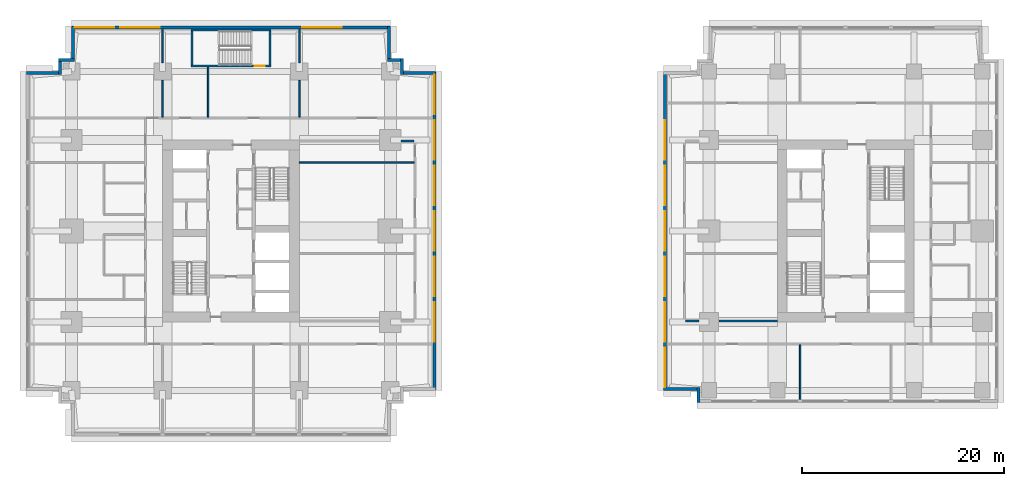
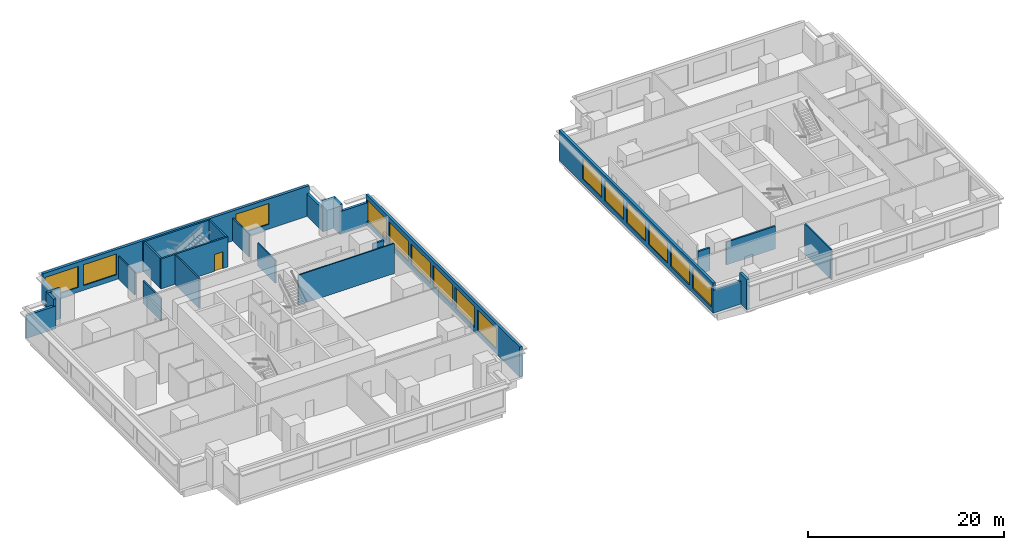
# One storey, part 5 of 10: 27 walls, 15 windows, 1 door, 16 openings.
"""IFC4 building model written with IfcOpenShell, lengths in metres."""

from ifc_helpers import new_model, si_unit, direction, frame, frame_2d, origin, place, context, subcontext, project, spatial, rectangle, extrude, material, layer, layer_set, type_object, element, fill, save


model = new_model("IFC4")

# Units and contexts
model_context = context("Model", 3, precision=1e-05, world=origin(), true_north=direction((0.0, 1.0)))
body_context = subcontext(model_context, "Body", "Model", "MODEL_VIEW")
ifc_project = project(units=[si_unit("LENGTHUNIT", "METRE"), si_unit("AREAUNIT", "SQUARE_METRE"), si_unit("VOLUMEUNIT", "CUBIC_METRE"), si_unit("PLANEANGLEUNIT", "RADIAN"), si_unit("MASSUNIT", "GRAM", prefix="KILO")], contexts=[model_context])

# Site, building, storey
site_placement = place(None, origin())
site = spatial("IfcSite", under=ifc_project, at=site_placement, CompositionType="ELEMENT")
building_placement = place(site_placement, origin())
building = spatial("IfcBuilding", under=site, at=building_placement, Name="Namib Vertical Campus", CompositionType="ELEMENT")
storey_placement = place(building_placement, frame((0.0, 0.0, 141.0)))
storey = spatial("IfcBuildingStorey", under=building, at=storey_placement, Name="L33", CompositionType="ELEMENT", Elevation=141.0)

# Walls
ifc_material_1 = material(Name="Concrete masonry", Category="masonry")
ifc_layer_1 = layer(ifc_material_1, 0.199951171875)
ifc_layer_set_1 = layer_set([ifc_layer_1], Name="Corridor wall 200")
wall_type_1 = type_object("IfcWallType", Name="Corridor wall 200", PredefinedType="SOLIDWALL", material=ifc_layer_set_1)
wall_1_placement = place(storey_placement, frame((37.070068359375, 29.14990234375, 0.0), z_axis=(0.0, 0.0, 1.0), x_axis=(1.0, 0.0, 0.0)))
element("IfcWall", 1, at=wall_1_placement, inside=storey, type_object=wall_type_1, Name="Corridor wall A L33 GN", PredefinedType="SOLIDWALL", context=body_context, shape_type="SweptSolid", body=[
    extrude(rectangle(XDim=1.280029296875, YDim=0.199951171875, at=frame_2d((0.64013671875, 0.0))), origin(), (0.0, 0.0, 1.0), 2.85009765625),
])
wall_2_placement = place(storey_placement, frame((65.14990234375, 11.35009765625, 0.0), z_axis=(0.0, 0.0, 1.0), x_axis=(1.0, 0.0, 0.0)))
element("IfcWall", 2, at=wall_2_placement, inside=storey, type_object=wall_type_1, Name="Corridor wall B L33 GS", PredefinedType="SOLIDWALL", context=body_context, shape_type="SweptSolid", body=[
    extrude(rectangle(XDim=1.380126953125, YDim=0.199951171875, at=frame_2d((0.68994140625, 0.0))), origin(), (0.0, 0.0, 1.0), 2.85009765625),
])
wall_3_placement = place(storey_placement, frame((68.469970703125, 11.35009765625, 0.0), z_axis=(0.0, 0.0, 1.0), x_axis=(1.0, 0.0, 0.0)))
element("IfcWall", 3, at=wall_3_placement, inside=storey, type_object=wall_type_1, Name="Corridor wall B L33 GS", PredefinedType="SOLIDWALL", context=body_context, shape_type="SweptSolid", body=[
    extrude(rectangle(XDim=5.780029296875, YDim=0.199951171875, at=frame_2d((2.89013671875, 0.0))), origin(), (0.0, 0.0, 1.0), 2.85009765625),
])

# Wall, openings, windows
ifc_material_2 = material(Name="Concrete C40/50", Category="concrete")
ifc_layer_2 = layer(ifc_material_2, 0.300048828125)
ifc_layer_set_2 = layer_set([ifc_layer_2], Name="Concrete C40/50")
wall_type_2 = type_object("IfcWallType", Name="External wall 300 board-marked concrete", PredefinedType="STANDARD", material=ifc_layer_set_2)
wall_4_placement = place(storey_placement, frame((40.35009765625, 4.52001953125, 0.0), z_axis=(0.0, 0.0, 1.0), x_axis=(0.0, 1.0, 0.0)))
wall_4 = element("IfcWall", 4, at=wall_4_placement, inside=storey, type_object=wall_type_2, Name="External wall L33 F06", PredefinedType="STANDARD", context=body_context, shape_type="SweptSolid", body=[
    extrude(rectangle(XDim=31.4599609375, YDim=0.300048828125, at=frame_2d((15.72998046875, 0.0))), origin(), (0.0, 0.0, 1.0), 3.75),
])
opening_1_placement = place(wall_4_placement, frame((4.780029296875, 0.0, 0.60009765625)))
opening_1 = element("IfcOpeningElement", 5, at=opening_1_placement, cuts=wall_4, Name="Opening W2", PredefinedType="OPENING", context=body_context, shape_type="SweptSolid", body=[
    extrude(rectangle(XDim=3.89990234375, YDim=2.60009765625, at=frame_2d((1.949951171875, 1.300048828125))), frame((0.0, 0.159912109375, 0.0), z_axis=(0.0, -1.0, 0.0), x_axis=(1.0, 0.0, 0.0)), (0.0, 0.0, 1.0), 0.320068359375),
])
opening_2_placement = place(wall_4_placement, frame((9.280029296875, 0.0, 0.60009765625)))
opening_2 = element("IfcOpeningElement", 6, at=opening_2_placement, cuts=wall_4, Name="Opening W2", PredefinedType="OPENING", context=body_context, shape_type="SweptSolid", body=[
    extrude(rectangle(XDim=3.89990234375, YDim=2.60009765625, at=frame_2d((1.949951171875, 1.300048828125))), frame((0.0, 0.159912109375, 0.0), z_axis=(0.0, -1.0, 0.0), x_axis=(1.0, 0.0, 0.0)), (0.0, 0.0, 1.0), 0.320068359375),
])
opening_3_placement = place(wall_4_placement, frame((13.780029296875, 0.0, 0.60009765625)))
opening_3 = element("IfcOpeningElement", 7, at=opening_3_placement, cuts=wall_4, Name="Opening W2", PredefinedType="OPENING", context=body_context, shape_type="SweptSolid", body=[
    extrude(rectangle(XDim=3.89990234375, YDim=2.60009765625, at=frame_2d((1.949951171875, 1.300048828125))), frame((0.0, 0.159912109375, 0.0), z_axis=(0.0, -1.0, 0.0), x_axis=(1.0, 0.0, 0.0)), (0.0, 0.0, 1.0), 0.320068359375),
])
opening_4_placement = place(wall_4_placement, frame((18.280029296875, 0.0, 0.60009765625)))
opening_4 = element("IfcOpeningElement", 8, at=opening_4_placement, cuts=wall_4, Name="Opening W2", PredefinedType="OPENING", context=body_context, shape_type="SweptSolid", body=[
    extrude(rectangle(XDim=3.89990234375, YDim=2.60009765625, at=frame_2d((1.949951171875, 1.300048828125))), frame((0.0, 0.159912109375, 0.0), z_axis=(0.0, -1.0, 0.0), x_axis=(1.0, 0.0, 0.0)), (0.0, 0.0, 1.0), 0.320068359375),
])
opening_5_placement = place(wall_4_placement, frame((22.780029296875, 0.0, 0.60009765625)))
opening_5 = element("IfcOpeningElement", 9, at=opening_5_placement, cuts=wall_4, Name="Opening W2", PredefinedType="OPENING", context=body_context, shape_type="SweptSolid", body=[
    extrude(rectangle(XDim=3.89990234375, YDim=2.60009765625, at=frame_2d((1.949951171875, 1.300048828125))), frame((0.0, 0.159912109375, 0.0), z_axis=(0.0, -1.0, 0.0), x_axis=(1.0, 0.0, 0.0)), (0.0, 0.0, 1.0), 0.320068359375),
])
opening_6_placement = place(wall_4_placement, frame((27.280029296875, 0.0, 0.60009765625)))
opening_6 = element("IfcOpeningElement", 10, at=opening_6_placement, cuts=wall_4, Name="Opening W2", PredefinedType="OPENING", context=body_context, shape_type="SweptSolid", body=[
    extrude(rectangle(XDim=3.89990234375, YDim=2.60009765625, at=frame_2d((1.949951171875, 1.300048828125))), frame((0.0, 0.159912109375, 0.0), z_axis=(0.0, -1.0, 0.0), x_axis=(1.0, 0.0, 0.0)), (0.0, 0.0, 1.0), 0.320068359375),
])
ifc_material_3 = material(Name="Dark tinted glass in black aluminium frame", Category="aluminium")
window_type = type_object("IfcWindowType", Name="Ribbon window 3900x2600", PartitioningType="SINGLE_PANEL", PredefinedType="WINDOW", material=ifc_material_3)
window_1_placement = place(opening_1_placement, origin())
window_1 = element("IfcWindow", 11, at=window_1_placement, inside=storey, type_object=window_type, Name="Window W2 L33 F06-2", OverallHeight=2.60009765625, OverallWidth=3.89990234375, PartitioningType="SINGLE_PANEL", PredefinedType="WINDOW", context=body_context, shape_type="SweptSolid", body=[
    extrude(rectangle(XDim=3.89990234375, YDim=2.60009765625, at=frame_2d((1.949951171875, 1.300048828125))), frame((0.0, 0.030029296875, 0.0), z_axis=(0.0, -1.0, 0.0), x_axis=(1.0, 0.0, 0.0)), (0.0, 0.0, 1.0), 0.06005859375),
])
fill(opening_1, window_1)
window_2_placement = place(opening_2_placement, origin())
window_2 = element("IfcWindow", 12, at=window_2_placement, inside=storey, type_object=window_type, Name="Window W2 L33 F06-3", OverallHeight=2.60009765625, OverallWidth=3.89990234375, PartitioningType="SINGLE_PANEL", PredefinedType="WINDOW", context=body_context, shape_type="SweptSolid", body=[
    extrude(rectangle(XDim=3.89990234375, YDim=2.60009765625, at=frame_2d((1.949951171875, 1.300048828125))), frame((0.0, 0.030029296875, 0.0), z_axis=(0.0, -1.0, 0.0), x_axis=(1.0, 0.0, 0.0)), (0.0, 0.0, 1.0), 0.06005859375),
])
fill(opening_2, window_2)
window_3_placement = place(opening_3_placement, origin())
window_3 = element("IfcWindow", 13, at=window_3_placement, inside=storey, type_object=window_type, Name="Window W2 L33 F06-4", OverallHeight=2.60009765625, OverallWidth=3.89990234375, PartitioningType="SINGLE_PANEL", PredefinedType="WINDOW", context=body_context, shape_type="SweptSolid", body=[
    extrude(rectangle(XDim=3.89990234375, YDim=2.60009765625, at=frame_2d((1.949951171875, 1.300048828125))), frame((0.0, 0.030029296875, 0.0), z_axis=(0.0, -1.0, 0.0), x_axis=(1.0, 0.0, 0.0)), (0.0, 0.0, 1.0), 0.06005859375),
])
fill(opening_3, window_3)
window_4_placement = place(opening_4_placement, origin())
window_4 = element("IfcWindow", 14, at=window_4_placement, inside=storey, type_object=window_type, Name="Window W2 L33 F06-5", OverallHeight=2.60009765625, OverallWidth=3.89990234375, PartitioningType="SINGLE_PANEL", PredefinedType="WINDOW", context=body_context, shape_type="SweptSolid", body=[
    extrude(rectangle(XDim=3.89990234375, YDim=2.60009765625, at=frame_2d((1.949951171875, 1.300048828125))), frame((0.0, 0.030029296875, 0.0), z_axis=(0.0, -1.0, 0.0), x_axis=(1.0, 0.0, 0.0)), (0.0, 0.0, 1.0), 0.06005859375),
])
fill(opening_4, window_4)
window_5_placement = place(opening_5_placement, origin())
window_5 = element("IfcWindow", 15, at=window_5_placement, inside=storey, type_object=window_type, Name="Window W2 L33 F06-6", OverallHeight=2.60009765625, OverallWidth=3.89990234375, PartitioningType="SINGLE_PANEL", PredefinedType="WINDOW", context=body_context, shape_type="SweptSolid", body=[
    extrude(rectangle(XDim=3.89990234375, YDim=2.60009765625, at=frame_2d((1.949951171875, 1.300048828125))), frame((0.0, 0.030029296875, 0.0), z_axis=(0.0, -1.0, 0.0), x_axis=(1.0, 0.0, 0.0)), (0.0, 0.0, 1.0), 0.06005859375),
])
fill(opening_5, window_5)
window_6_placement = place(opening_6_placement, origin())
window_6 = element("IfcWindow", 16, at=window_6_placement, inside=storey, type_object=window_type, Name="Window W2 L33 F06-7", OverallHeight=2.60009765625, OverallWidth=3.89990234375, PartitioningType="SINGLE_PANEL", PredefinedType="WINDOW", context=body_context, shape_type="SweptSolid", body=[
    extrude(rectangle(XDim=3.89990234375, YDim=2.60009765625, at=frame_2d((1.949951171875, 1.300048828125))), frame((0.0, 0.030029296875, 0.0), z_axis=(0.0, -1.0, 0.0), x_axis=(1.0, 0.0, 0.0)), (0.0, 0.0, 1.0), 0.06005859375),
])
fill(opening_6, window_6)

# Walls
wall_5_placement = place(storey_placement, frame((40.47998046875, 35.85009765625, 0.0), z_axis=(0.0, 0.0, 1.0), x_axis=(-1.0, 0.0, 0.0)))
element("IfcWall", 17, at=wall_5_placement, inside=storey, type_object=wall_type_2, Name="External wall L33 F07", PredefinedType="STANDARD", context=body_context, shape_type="SweptSolid", body=[
    extrude(rectangle(XDim=3.4599609375, YDim=0.300048828125, at=frame_2d((1.72998046875, 0.0))), origin(), (0.0, 0.0, 1.0), 2.85009765625),
])
for number, where, z_axis, x_axis, name in (
    (18, (37.14990234375, 35.719970703125, 0.0), (0.0, 0.0, 1.0), (0.0, 1.0, 0.0), "External wall L33 F08"),
    (19, (37.280029296875, 37.14990234375, 0.0), (0.0, 0.0, 1.0), (-1.0, 0.0, 0.0), "External wall L33 F09"),
):
    element("IfcWall", number, at=place(storey_placement, frame(where, z_axis=z_axis, x_axis=x_axis)), inside=storey, type_object=wall_type_2, Name=name, PredefinedType="STANDARD", context=body_context, shape_type="SweptSolid", body=[
        extrude(rectangle(XDim=1.56005859375, YDim=0.300048828125, at=frame_2d((0.780029296875, 0.0))), origin(), (0.0, 0.0, 1.0), 3.75),
    ])
wall_6_placement = place(storey_placement, frame((35.85009765625, 37.02001953125, 0.0), z_axis=(0.0, 0.0, 1.0), x_axis=(0.0, 1.0, 0.0)))
element("IfcWall", 20, at=wall_6_placement, inside=storey, type_object=wall_type_2, Name="External wall L33 F10", PredefinedType="STANDARD", context=body_context, shape_type="SweptSolid", body=[
    extrude(rectangle(XDim=3.4599609375, YDim=0.300048828125, at=frame_2d((1.72998046875, 0.0))), origin(), (0.0, 0.0, 1.0), 2.85009765625),
])

# Wall, openings, windows
wall_7_placement = place(storey_placement, frame((35.97998046875, 40.35009765625, 0.0), z_axis=(0.0, 0.0, 1.0), x_axis=(-1.0, 0.0, 0.0)))
wall_7 = element("IfcWall", 21, at=wall_7_placement, inside=storey, type_object=wall_type_2, Name="External wall L33 F11", PredefinedType="STANDARD", context=body_context, shape_type="SweptSolid", body=[
    extrude(rectangle(XDim=31.4599609375, YDim=0.300048828125, at=frame_2d((15.72998046875, 0.0))), origin(), (0.0, 0.0, 1.0), 3.75),
])
opening_7_placement = place(wall_7_placement, frame((27.280029296875, 0.0, 0.60009765625)))
opening_7 = element("IfcOpeningElement", 22, at=opening_7_placement, cuts=wall_7, Name="Opening W2", PredefinedType="OPENING", context=body_context, shape_type="SweptSolid", body=[
    extrude(rectangle(XDim=3.89990234375, YDim=2.60009765625, at=frame_2d((1.949951171875, 1.300048828125))), frame((0.0, 0.159912109375, 0.0), z_axis=(0.0, -1.0, 0.0), x_axis=(1.0, 0.0, 0.0)), (0.0, 0.0, 1.0), 0.320068359375),
])
opening_8_placement = place(wall_7_placement, frame((22.780029296875, 0.0, 0.60009765625)))
opening_8 = element("IfcOpeningElement", 23, at=opening_8_placement, cuts=wall_7, Name="Opening W2", PredefinedType="OPENING", context=body_context, shape_type="SweptSolid", body=[
    extrude(rectangle(XDim=3.89990234375, YDim=2.60009765625, at=frame_2d((1.949951171875, 1.300048828125))), frame((0.0, 0.159912109375, 0.0), z_axis=(0.0, -1.0, 0.0), x_axis=(1.0, 0.0, 0.0)), (0.0, 0.0, 1.0), 0.320068359375),
])
opening_9_placement = place(wall_7_placement, frame((4.780029296875, 0.0, 0.60009765625)))
opening_9 = element("IfcOpeningElement", 24, at=opening_9_placement, cuts=wall_7, Name="Opening W2", PredefinedType="OPENING", context=body_context, shape_type="SweptSolid", body=[
    extrude(rectangle(XDim=3.89990234375, YDim=2.60009765625, at=frame_2d((1.949951171875, 1.300048828125))), frame((0.0, 0.159912109375, 0.0), z_axis=(0.0, -1.0, 0.0), x_axis=(1.0, 0.0, 0.0)), (0.0, 0.0, 1.0), 0.320068359375),
])
window_7_placement = place(opening_7_placement, origin())
window_7 = element("IfcWindow", 25, at=window_7_placement, inside=storey, type_object=window_type, Name="Window W2 L33 F11-1", OverallHeight=2.60009765625, OverallWidth=3.89990234375, PartitioningType="SINGLE_PANEL", PredefinedType="WINDOW", context=body_context, shape_type="SweptSolid", body=[
    extrude(rectangle(XDim=3.89990234375, YDim=2.60009765625, at=frame_2d((1.949951171875, 1.300048828125))), frame((0.0, 0.030029296875, 0.0), z_axis=(0.0, -1.0, 0.0), x_axis=(1.0, 0.0, 0.0)), (0.0, 0.0, 1.0), 0.06005859375),
])
fill(opening_7, window_7)
window_8_placement = place(opening_8_placement, origin())
window_8 = element("IfcWindow", 26, at=window_8_placement, inside=storey, type_object=window_type, Name="Window W2 L33 F11-2", OverallHeight=2.60009765625, OverallWidth=3.89990234375, PartitioningType="SINGLE_PANEL", PredefinedType="WINDOW", context=body_context, shape_type="SweptSolid", body=[
    extrude(rectangle(XDim=3.89990234375, YDim=2.60009765625, at=frame_2d((1.949951171875, 1.300048828125))), frame((0.0, 0.030029296875, 0.0), z_axis=(0.0, -1.0, 0.0), x_axis=(1.0, 0.0, 0.0)), (0.0, 0.0, 1.0), 0.06005859375),
])
fill(opening_8, window_8)
window_9_placement = place(opening_9_placement, origin())
window_9 = element("IfcWindow", 27, at=window_9_placement, inside=storey, type_object=window_type, Name="Window W2 L33 F11-6", OverallHeight=2.60009765625, OverallWidth=3.89990234375, PartitioningType="SINGLE_PANEL", PredefinedType="WINDOW", context=body_context, shape_type="SweptSolid", body=[
    extrude(rectangle(XDim=3.89990234375, YDim=2.60009765625, at=frame_2d((1.949951171875, 1.300048828125))), frame((0.0, 0.030029296875, 0.0), z_axis=(0.0, -1.0, 0.0), x_axis=(1.0, 0.0, 0.0)), (0.0, 0.0, 1.0), 0.06005859375),
])
fill(opening_9, window_9)

# Walls
wall_8_placement = place(storey_placement, frame((4.64990234375, 40.47998046875, 0.0), z_axis=(0.0, 0.0, 1.0), x_axis=(0.0, -1.0, 0.0)))
element("IfcWall", 28, at=wall_8_placement, inside=storey, type_object=wall_type_2, Name="External wall L33 F12", PredefinedType="STANDARD", context=body_context, shape_type="SweptSolid", body=[
    extrude(rectangle(XDim=3.4599609375, YDim=0.300048828125, at=frame_2d((1.72998046875, 0.0))), origin(), (0.0, 0.0, 1.0), 2.85009765625),
])
for number, where, z_axis, x_axis, name in (
    (29, (4.780029296875, 37.14990234375, 0.0), (0.0, 0.0, 1.0), (-1.0, 0.0, 0.0), "External wall L33 F13"),
    (30, (3.35009765625, 37.280029296875, 0.0), (0.0, 0.0, 1.0), (0.0, -1.0, 0.0), "External wall L33 F14"),
):
    element("IfcWall", number, at=place(storey_placement, frame(where, z_axis=z_axis, x_axis=x_axis)), inside=storey, type_object=wall_type_2, Name=name, PredefinedType="STANDARD", context=body_context, shape_type="SweptSolid", body=[
        extrude(rectangle(XDim=1.56005859375, YDim=0.300048828125, at=frame_2d((0.780029296875, 0.0))), origin(), (0.0, 0.0, 1.0), 3.75),
    ])
wall_9_placement = place(storey_placement, frame((3.47998046875, 35.85009765625, 0.0), z_axis=(0.0, 0.0, 1.0), x_axis=(-1.0, 0.0, 0.0)))
element("IfcWall", 31, at=wall_9_placement, inside=storey, type_object=wall_type_2, Name="External wall L33 F15", PredefinedType="STANDARD", context=body_context, shape_type="SweptSolid", body=[
    extrude(rectangle(XDim=3.4599609375, YDim=0.300048828125, at=frame_2d((1.72998046875, 0.0))), origin(), (0.0, 0.0, 1.0), 2.85009765625),
])
wall_10_placement = place(storey_placement, frame((63.02001953125, 4.64990234375, 0.0), z_axis=(0.0, 0.0, 1.0), x_axis=(1.0, 0.0, 0.0)))
element("IfcWall", 32, at=wall_10_placement, inside=storey, type_object=wall_type_2, Name="External wall L33 F01", PredefinedType="STANDARD", context=body_context, shape_type="SweptSolid", body=[
    extrude(rectangle(XDim=3.56005859375, YDim=0.300048828125, at=frame_2d((1.780029296875, 0.0))), origin(), (0.0, 0.0, 1.0), 2.85009765625),
])
wall_11_placement = place(storey_placement, frame((66.449951171875, 4.780029296875, 0.0), z_axis=(0.0, 0.0, 1.0), x_axis=(0.0, -1.0, 0.0)))
element("IfcWall", 33, at=wall_11_placement, inside=storey, type_object=wall_type_2, Name="External wall L33 F02", PredefinedType="STANDARD", context=body_context, shape_type="SweptSolid", body=[
    extrude(rectangle(XDim=1.4599609375, YDim=0.300048828125, at=frame_2d((0.72998046875, 0.0))), origin(), (0.0, 0.0, 1.0), 3.75),
])

# Wall, openings, windows
wall_12_placement = place(storey_placement, frame((63.14990234375, 35.97998046875, 0.0), z_axis=(0.0, 0.0, 1.0), x_axis=(0.0, -1.0, 0.0)))
wall_12 = element("IfcWall", 34, at=wall_12_placement, inside=storey, type_object=wall_type_2, Name="External wall L33 F12", PredefinedType="STANDARD", context=body_context, shape_type="SweptSolid", body=[
    extrude(rectangle(XDim=31.4599609375, YDim=0.300048828125, at=frame_2d((15.72998046875, 0.0))), origin(), (0.0, 0.0, 1.0), 3.75),
])
opening_10_placement = place(wall_12_placement, frame((27.280029296875, 0.0, 0.60009765625)))
opening_10 = element("IfcOpeningElement", 35, at=opening_10_placement, cuts=wall_12, Name="Opening W2", PredefinedType="OPENING", context=body_context, shape_type="SweptSolid", body=[
    extrude(rectangle(XDim=3.89990234375, YDim=2.60009765625, at=frame_2d((1.949951171875, 1.300048828125))), frame((0.0, 0.159912109375, 0.0), z_axis=(0.0, -1.0, 0.0), x_axis=(1.0, 0.0, 0.0)), (0.0, 0.0, 1.0), 0.320068359375),
])
opening_11_placement = place(wall_12_placement, frame((22.780029296875, 0.0, 0.60009765625)))
opening_11 = element("IfcOpeningElement", 36, at=opening_11_placement, cuts=wall_12, Name="Opening W2", PredefinedType="OPENING", context=body_context, shape_type="SweptSolid", body=[
    extrude(rectangle(XDim=3.89990234375, YDim=2.60009765625, at=frame_2d((1.949951171875, 1.300048828125))), frame((0.0, 0.159912109375, 0.0), z_axis=(0.0, -1.0, 0.0), x_axis=(1.0, 0.0, 0.0)), (0.0, 0.0, 1.0), 0.320068359375),
])
opening_12_placement = place(wall_12_placement, frame((18.280029296875, 0.0, 0.60009765625)))
opening_12 = element("IfcOpeningElement", 37, at=opening_12_placement, cuts=wall_12, Name="Opening W2", PredefinedType="OPENING", context=body_context, shape_type="SweptSolid", body=[
    extrude(rectangle(XDim=3.89990234375, YDim=2.60009765625, at=frame_2d((1.949951171875, 1.300048828125))), frame((0.0, 0.159912109375, 0.0), z_axis=(0.0, -1.0, 0.0), x_axis=(1.0, 0.0, 0.0)), (0.0, 0.0, 1.0), 0.320068359375),
])
opening_13_placement = place(wall_12_placement, frame((13.780029296875, 0.0, 0.60009765625)))
opening_13 = element("IfcOpeningElement", 38, at=opening_13_placement, cuts=wall_12, Name="Opening W2", PredefinedType="OPENING", context=body_context, shape_type="SweptSolid", body=[
    extrude(rectangle(XDim=3.89990234375, YDim=2.60009765625, at=frame_2d((1.949951171875, 1.300048828125))), frame((0.0, 0.159912109375, 0.0), z_axis=(0.0, -1.0, 0.0), x_axis=(1.0, 0.0, 0.0)), (0.0, 0.0, 1.0), 0.320068359375),
])
opening_14_placement = place(wall_12_placement, frame((9.280029296875, 0.0, 0.60009765625)))
opening_14 = element("IfcOpeningElement", 39, at=opening_14_placement, cuts=wall_12, Name="Opening W2", PredefinedType="OPENING", context=body_context, shape_type="SweptSolid", body=[
    extrude(rectangle(XDim=3.89990234375, YDim=2.60009765625, at=frame_2d((1.949951171875, 1.300048828125))), frame((0.0, 0.159912109375, 0.0), z_axis=(0.0, -1.0, 0.0), x_axis=(1.0, 0.0, 0.0)), (0.0, 0.0, 1.0), 0.320068359375),
])
opening_15_placement = place(wall_12_placement, frame((4.780029296875, 0.0, 0.60009765625)))
opening_15 = element("IfcOpeningElement", 40, at=opening_15_placement, cuts=wall_12, Name="Opening W2", PredefinedType="OPENING", context=body_context, shape_type="SweptSolid", body=[
    extrude(rectangle(XDim=3.89990234375, YDim=2.60009765625, at=frame_2d((1.949951171875, 1.300048828125))), frame((0.0, 0.159912109375, 0.0), z_axis=(0.0, -1.0, 0.0), x_axis=(1.0, 0.0, 0.0)), (0.0, 0.0, 1.0), 0.320068359375),
])
window_10_placement = place(opening_10_placement, origin())
window_10 = element("IfcWindow", 41, at=window_10_placement, inside=storey, type_object=window_type, Name="Window W2 L33 F12-1", OverallHeight=2.60009765625, OverallWidth=3.89990234375, PartitioningType="SINGLE_PANEL", PredefinedType="WINDOW", context=body_context, shape_type="SweptSolid", body=[
    extrude(rectangle(XDim=3.89990234375, YDim=2.60009765625, at=frame_2d((1.949951171875, 1.300048828125))), frame((0.0, 0.030029296875, 0.0), z_axis=(0.0, -1.0, 0.0), x_axis=(1.0, 0.0, 0.0)), (0.0, 0.0, 1.0), 0.06005859375),
])
fill(opening_10, window_10)
window_11_placement = place(opening_11_placement, origin())
window_11 = element("IfcWindow", 42, at=window_11_placement, inside=storey, type_object=window_type, Name="Window W2 L33 F12-2", OverallHeight=2.60009765625, OverallWidth=3.89990234375, PartitioningType="SINGLE_PANEL", PredefinedType="WINDOW", context=body_context, shape_type="SweptSolid", body=[
    extrude(rectangle(XDim=3.89990234375, YDim=2.60009765625, at=frame_2d((1.949951171875, 1.300048828125))), frame((0.0, 0.030029296875, 0.0), z_axis=(0.0, -1.0, 0.0), x_axis=(1.0, 0.0, 0.0)), (0.0, 0.0, 1.0), 0.06005859375),
])
fill(opening_11, window_11)
window_12_placement = place(opening_12_placement, origin())
window_12 = element("IfcWindow", 43, at=window_12_placement, inside=storey, type_object=window_type, Name="Window W2 L33 F12-3", OverallHeight=2.60009765625, OverallWidth=3.89990234375, PartitioningType="SINGLE_PANEL", PredefinedType="WINDOW", context=body_context, shape_type="SweptSolid", body=[
    extrude(rectangle(XDim=3.89990234375, YDim=2.60009765625, at=frame_2d((1.949951171875, 1.300048828125))), frame((0.0, 0.030029296875, 0.0), z_axis=(0.0, -1.0, 0.0), x_axis=(1.0, 0.0, 0.0)), (0.0, 0.0, 1.0), 0.06005859375),
])
fill(opening_12, window_12)
window_13_placement = place(opening_13_placement, origin())
window_13 = element("IfcWindow", 44, at=window_13_placement, inside=storey, type_object=window_type, Name="Window W2 L33 F12-4", OverallHeight=2.60009765625, OverallWidth=3.89990234375, PartitioningType="SINGLE_PANEL", PredefinedType="WINDOW", context=body_context, shape_type="SweptSolid", body=[
    extrude(rectangle(XDim=3.89990234375, YDim=2.60009765625, at=frame_2d((1.949951171875, 1.300048828125))), frame((0.0, 0.030029296875, 0.0), z_axis=(0.0, -1.0, 0.0), x_axis=(1.0, 0.0, 0.0)), (0.0, 0.0, 1.0), 0.06005859375),
])
fill(opening_13, window_13)
window_14_placement = place(opening_14_placement, origin())
window_14 = element("IfcWindow", 45, at=window_14_placement, inside=storey, type_object=window_type, Name="Window W2 L33 F12-5", OverallHeight=2.60009765625, OverallWidth=3.89990234375, PartitioningType="SINGLE_PANEL", PredefinedType="WINDOW", context=body_context, shape_type="SweptSolid", body=[
    extrude(rectangle(XDim=3.89990234375, YDim=2.60009765625, at=frame_2d((1.949951171875, 1.300048828125))), frame((0.0, 0.030029296875, 0.0), z_axis=(0.0, -1.0, 0.0), x_axis=(1.0, 0.0, 0.0)), (0.0, 0.0, 1.0), 0.06005859375),
])
fill(opening_14, window_14)
window_15_placement = place(opening_15_placement, origin())
window_15 = element("IfcWindow", 46, at=window_15_placement, inside=storey, type_object=window_type, Name="Window W2 L33 F12-6", OverallHeight=2.60009765625, OverallWidth=3.89990234375, PartitioningType="SINGLE_PANEL", PredefinedType="WINDOW", context=body_context, shape_type="SweptSolid", body=[
    extrude(rectangle(XDim=3.89990234375, YDim=2.60009765625, at=frame_2d((1.949951171875, 1.300048828125))), frame((0.0, 0.030029296875, 0.0), z_axis=(0.0, -1.0, 0.0), x_axis=(1.0, 0.0, 0.0)), (0.0, 0.0, 1.0), 0.06005859375),
])
fill(opening_15, window_15)

# Walls
ifc_material_4 = material(Name="Gypsum board on steel studs", Category="steel")
ifc_layer_3 = layer(ifc_material_4, 0.14990234375)
ifc_layer_set_3 = layer_set([ifc_layer_3], Name="Gypsum board on steel studs")
wall_type_3 = type_object("IfcWallType", Name="Partition 150", PredefinedType="PARTITIONING", material=ifc_layer_set_3)
wall_13_placement = place(storey_placement, frame((13.5, 31.5, 0.0), z_axis=(0.0, 0.0, 1.0), x_axis=(0.0, 1.0, 0.0)))
element("IfcWall", 47, at=wall_13_placement, inside=storey, type_object=wall_type_3, Name="Partition A L33 PN1", PredefinedType="PARTITIONING", context=body_context, shape_type="SweptSolid", body=[
    extrude(rectangle(XDim=3.6298828125, YDim=0.14990234375, at=frame_2d((1.81494140625, 0.0))), origin(), (0.0, 0.0, 1.0), 2.85009765625),
])
wall_14_placement = place(storey_placement, frame((13.5, 36.8701171875, 0.0), z_axis=(0.0, 0.0, 1.0), x_axis=(0.0, 1.0, 0.0)))
element("IfcWall", 48, at=wall_14_placement, inside=storey, type_object=wall_type_3, Name="Partition A L33 PN1", PredefinedType="PARTITIONING", context=body_context, shape_type="SweptSolid", body=[
    extrude(rectangle(XDim=3.329833984375, YDim=0.14990234375, at=frame_2d((1.6650390625, 0.0))), origin(), (0.0, 0.0, 1.0), 2.85009765625),
])
wall_15_placement = place(storey_placement, frame((18.0, 31.5, 0.0), z_axis=(0.0, 0.0, 1.0), x_axis=(0.0, 1.0, 0.0)))
element("IfcWall", 49, at=wall_15_placement, inside=storey, type_object=wall_type_3, Name="Partition A L33 PN2", PredefinedType="PARTITIONING", context=body_context, shape_type="SweptSolid", body=[
    extrude(rectangle(XDim=4.949951171875, YDim=0.14990234375, at=frame_2d((2.47509765625, 0.0))), origin(), (0.0, 0.0, 1.0), 3.75),
])
wall_16_placement = place(storey_placement, frame((27.0, 31.5, 0.0), z_axis=(0.0, 0.0, 1.0), x_axis=(0.0, 1.0, 0.0)))
element("IfcWall", 50, at=wall_16_placement, inside=storey, type_object=wall_type_3, Name="Partition A L33 PN3", PredefinedType="PARTITIONING", context=body_context, shape_type="SweptSolid", body=[
    extrude(rectangle(XDim=3.6298828125, YDim=0.14990234375, at=frame_2d((1.81494140625, 0.0))), origin(), (0.0, 0.0, 1.0), 2.85009765625),
])
wall_17_placement = place(storey_placement, frame((27.0, 36.8701171875, 0.0), z_axis=(0.0, 0.0, 1.0), x_axis=(0.0, 1.0, 0.0)))
element("IfcWall", 51, at=wall_17_placement, inside=storey, type_object=wall_type_3, Name="Partition A L33 PN3", PredefinedType="PARTITIONING", context=body_context, shape_type="SweptSolid", body=[
    extrude(rectangle(XDim=3.329833984375, YDim=0.14990234375, at=frame_2d((1.6650390625, 0.0))), origin(), (0.0, 0.0, 1.0), 2.85009765625),
])
wall_18_placement = place(storey_placement, frame((27.0, 27.0, 0.0), z_axis=(0.0, 0.0, 1.0), x_axis=(1.0, 0.0, 0.0)))
element("IfcWall", 52, at=wall_18_placement, inside=storey, type_object=wall_type_3, Name="Partition A L33 PE2", PredefinedType="PARTITIONING", context=body_context, shape_type="SweptSolid", body=[
    extrude(rectangle(XDim=11.35009765625, YDim=0.14990234375, at=frame_2d((5.675048828125, 0.0))), origin(), (0.0, 0.0, 1.0), 3.75),
])
wall_19_placement = place(storey_placement, frame((76.5, 3.60009765625, 0.0), z_axis=(0.0, 0.0, 1.0), x_axis=(0.0, 1.0, 0.0)))
element("IfcWall", 53, at=wall_19_placement, inside=storey, type_object=wall_type_3, Name="Partition B L33 PS1", PredefinedType="PARTITIONING", context=body_context, shape_type="SweptSolid", body=[
    extrude(rectangle(XDim=5.39990234375, YDim=0.14990234375, at=frame_2d((2.699951171875, 0.0))), origin(), (0.0, 0.0, 1.0), 3.75),
])

# Wall, opening, door
ifc_material_5 = material(Name="Concrete C40/50", Category="concrete")
ifc_layer_4 = layer(ifc_material_5, 0.199951171875)
ifc_layer_set_4 = layer_set([ifc_layer_4], Name="Concrete C40/50")
wall_type_4 = type_object("IfcWallType", Name="Stair enclosure wall RC 200", PredefinedType="SOLIDWALL", material=ifc_layer_set_4)
wall_20_placement = place(storey_placement, frame((16.300048828125, 36.550048828125, 0.0), z_axis=(0.0, 0.0, 1.0), x_axis=(1.0, 0.0, 0.0)))
wall_20 = element("IfcWall", 54, at=wall_20_placement, inside=storey, type_object=wall_type_4, Name="Stair enclosure wall A-S3 L33 S", PredefinedType="SOLIDWALL", context=body_context, shape_type="SweptSolid", body=[
    extrude(rectangle(XDim=7.89990234375, YDim=0.199951171875, at=frame_2d((3.949951171875, 0.0))), origin(), (0.0, 0.0, 1.0), 3.75),
])
opening_16_placement = place(wall_20_placement, frame((6.300048828125, 0.0, 0.0)))
opening_16 = element("IfcOpeningElement", 55, at=opening_16_placement, cuts=wall_20, Name="Opening FD1", PredefinedType="OPENING", context=body_context, shape_type="SweptSolid", body=[
    extrude(rectangle(XDim=1.0, YDim=2.10009765625, at=frame_2d((0.5, 1.050048828125))), frame((0.0, 0.10986328125, 0.0), z_axis=(0.0, -1.0, 0.0), x_axis=(1.0, 0.0, 0.0)), (0.0, 0.0, 1.0), 0.219970703125),
])
ifc_material_6 = material(Name="Steel fire door", Category="steel")
door_type = type_object("IfcDoorType", Name="Fire door 1000x2100", OperationType="SINGLE_SWING_RIGHT", PredefinedType="DOOR", material=ifc_material_6)
door_placement = place(opening_16_placement, origin())
door = element("IfcDoor", 56, at=door_placement, inside=storey, type_object=door_type, Name="Stair door FD1 A L33 S3", OperationType="SINGLE_SWING_RIGHT", OverallHeight=2.10009765625, OverallWidth=1.0, PredefinedType="DOOR", context=body_context, shape_type="SweptSolid", body=[
    extrude(rectangle(XDim=1.0, YDim=2.10009765625, at=frame_2d((0.5, 1.050048828125))), frame((0.0, 0.02490234375, 0.0), z_axis=(0.0, -1.0, 0.0), x_axis=(1.0, 0.0, 0.0)), (0.0, 0.0, 1.0), 0.050048828125),
])
fill(opening_16, door)

# Walls
wall_21_placement = place(storey_placement, frame((16.300048828125, 40.10009765625, 0.0), z_axis=(0.0, 0.0, 1.0), x_axis=(1.0, 0.0, 0.0)))
element("IfcWall", 57, at=wall_21_placement, inside=storey, type_object=wall_type_4, Name="Stair enclosure wall A-S3 L33 N", PredefinedType="SOLIDWALL", context=body_context, shape_type="SweptSolid", body=[
    extrude(rectangle(XDim=7.89990234375, YDim=0.199951171875, at=frame_2d((3.949951171875, 0.0))), origin(), (0.0, 0.0, 1.0), 3.75),
])
for number, where, z_axis, x_axis, name in (
    (58, (16.39990234375, 36.64990234375, 0.0), (0.0, 0.0, 1.0), (0.0, 1.0, 0.0), "Stair enclosure wall A-S3 L33 W"),
    (59, (24.10009765625, 36.64990234375, 0.0), (0.0, 0.0, 1.0), (0.0, 1.0, 0.0), "Stair enclosure wall A-S3 L33 E"),
):
    element("IfcWall", number, at=place(storey_placement, frame(where, z_axis=z_axis, x_axis=x_axis)), inside=storey, type_object=wall_type_4, Name=name, PredefinedType="SOLIDWALL", context=body_context, shape_type="SweptSolid", body=[
        extrude(rectangle(XDim=3.35009765625, YDim=0.199951171875, at=frame_2d((1.675048828125, 0.0))), origin(), (0.0, 0.0, 1.0), 3.75),
    ])

save(model, "model.ifc")
